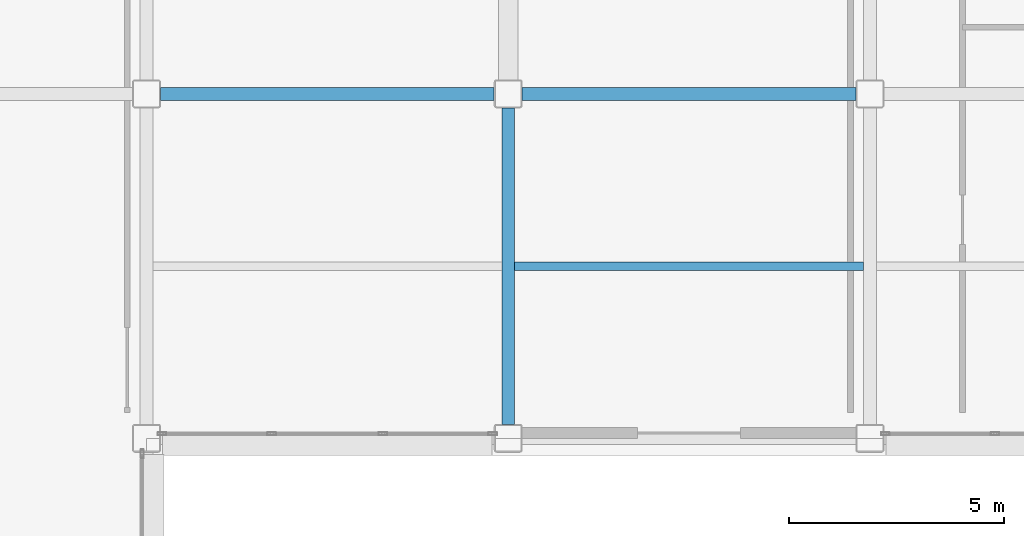
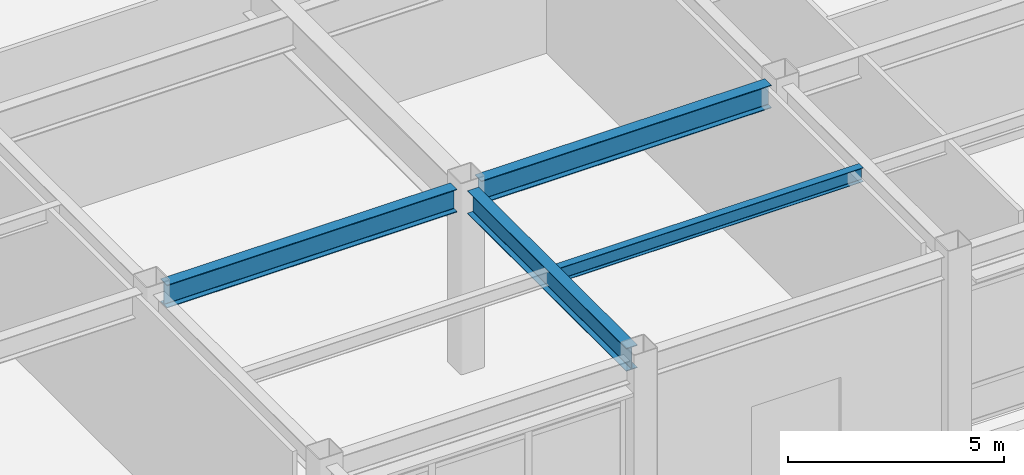
# One storey, part 41 of 165: 4 beams.
"""IFC4 building model written with IfcOpenShell, lengths in metres."""

from ifc_helpers import new_model, si_unit, direction, frame, origin, origin_2d, place, context, subcontext, project, spatial, i_section, extrude, material, material_profile, profile_set, type_object, element, save


model = new_model("IFC4")

# Units and contexts
model_context = context("Model", 3, precision=1e-05, world=origin(), true_north=direction((0.0, 1.0)))
body_context = subcontext(model_context, "Body", "Model", "MODEL_VIEW")
ifc_project = project(units=[si_unit("LENGTHUNIT", "METRE"), si_unit("AREAUNIT", "SQUARE_METRE"), si_unit("VOLUMEUNIT", "CUBIC_METRE"), si_unit("PLANEANGLEUNIT", "RADIAN"), si_unit("MASSUNIT", "GRAM", prefix="KILO")], contexts=[model_context])

# Site, building, storey
site_placement = place(None, origin())
site = spatial("IfcSite", under=ifc_project, at=site_placement, CompositionType="ELEMENT")
building_placement = place(site_placement, origin())
building = spatial("IfcBuilding", under=site, at=building_placement, Name="Kazehara Bluff Congress Hotel", CompositionType="ELEMENT")
storey_placement = place(building_placement, origin())
storey = spatial("IfcBuildingStorey", under=building, at=storey_placement, Name="L00", CompositionType="ELEMENT", Elevation=0.0)

# Beams
ifc_material_1 = material(Name="Steel SN490B", Category="steel")
ifc_material_profile_1 = material_profile(ifc_material_1, i_section(OverallWidth=0.300048828125, OverallDepth=0.64990234375, WebThickness=0.011962890625, FlangeThickness=0.02001953125, FilletRadius=0.012939453125, at=origin_2d()))
ifc_profile_set_1 = profile_set([ifc_material_profile_1], Name="Steel SN490B")
beam_type_1 = type_object("IfcBeamType", Name="TP-G-03", PredefinedType="BEAM", material=ifc_profile_set_1)
beam_1_placement = place(storey_placement, frame((84.449951171875, 16.324951171875, 4.824951171875), z_axis=(0.0, 1.0, 0.0), x_axis=(-1.0, 0.0, 0.0)))
element("IfcBeam", 1, at=beam_1_placement, inside=storey, type_object=beam_type_1, Name="L00 girder G-03 168", PredefinedType="BEAM", context=body_context, shape_type="SweptSolid", body=[
    extrude(i_section(OverallWidth=0.300048828125, OverallDepth=0.64990234375, WebThickness=0.011962890625, FlangeThickness=0.02001953125, FilletRadius=0.012939453125, at=origin_2d()), origin(), (0.0, 0.0, 1.0), 7.35009765625),
])
for number, where, z_axis, x_axis, name in (
    (2, (76.375, 24.0, 4.824951171875), (1.0, 0.0, 0.0), (0.0, 1.0, 0.0), "L00 girder G-03 195"),
    (3, (84.77490234375, 24.0, 4.824951171875), (1.0, 0.0, 0.0), (0.0, 1.0, 0.0), "L00 girder G-03 196"),
):
    element("IfcBeam", number, at=place(storey_placement, frame(where, z_axis=z_axis, x_axis=x_axis)), inside=storey, type_object=beam_type_1, Name=name, PredefinedType="BEAM", context=body_context, shape_type="SweptSolid", body=[
        extrude(i_section(OverallWidth=0.300048828125, OverallDepth=0.64990234375, WebThickness=0.011962890625, FlangeThickness=0.02001953125, FilletRadius=0.012939453125, at=origin_2d()), origin(), (0.0, 0.0, 1.0), 7.75),
    ])
ifc_material_2 = material(Name="Steel SN400B", Category="steel")
ifc_material_profile_2 = material_profile(ifc_material_2, i_section(OverallWidth=0.199951171875, OverallDepth=0.39990234375, WebThickness=0.008056640625, FlangeThickness=0.012939453125, FilletRadius=0.012939453125, at=origin_2d()))
ifc_profile_set_2 = profile_set([ifc_material_profile_2], Name="Steel SN400B")
beam_type_2 = type_object("IfcBeamType", Name="TP-J-03", PredefinedType="JOIST", material=ifc_profile_set_2)
beam_2_placement = place(storey_placement, frame((84.60009765625, 20.0, 4.949951171875), z_axis=(1.0, 0.0, 0.0), x_axis=(0.0, 1.0, 0.0)))
element("IfcBeam", 4, at=beam_2_placement, inside=storey, type_object=beam_type_2, Name="L00 secondary joist J-03 42", PredefinedType="JOIST", context=body_context, shape_type="SweptSolid", body=[
    extrude(i_section(OverallWidth=0.199951171875, OverallDepth=0.39990234375, WebThickness=0.008056640625, FlangeThickness=0.012939453125, FilletRadius=0.012939453125, at=origin_2d()), origin(), (0.0, 0.0, 1.0), 8.099853515625),
])

save(model, "model.ifc")
